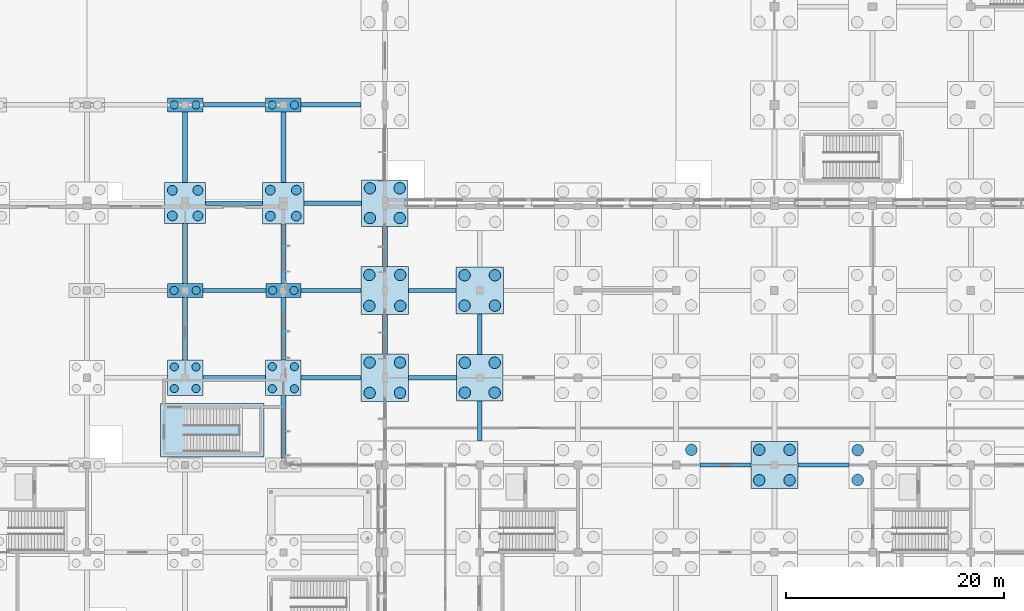
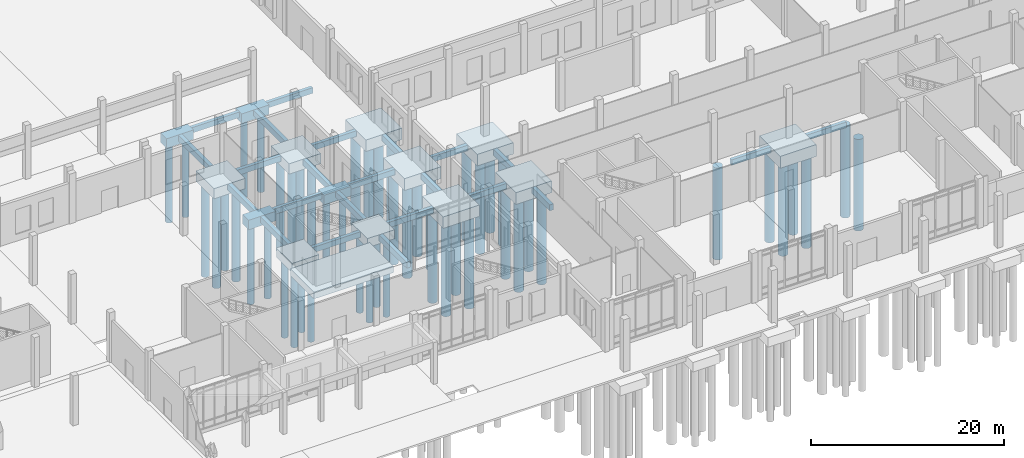
# One storey, part 14 of 99: 51 piles, 38 footings.
"""IFC4 building model written with IfcOpenShell, lengths in metres."""

from ifc_helpers import new_model, si_unit, direction, frame, origin, origin_2d, place, context, subcontext, project, spatial, polyline, rectangle, circle, outline, extrude, material, layer, layer_set, material_profile, profile_set, type_object, element, save


model = new_model("IFC4")

# Units and contexts
model_context = context("Model", 3, precision=1e-05, world=origin(), true_north=direction((0.0, 1.0)))
body_context = subcontext(model_context, "Body", "Model", "MODEL_VIEW")
ifc_project = project(units=[si_unit("LENGTHUNIT", "METRE"), si_unit("AREAUNIT", "SQUARE_METRE"), si_unit("VOLUMEUNIT", "CUBIC_METRE"), si_unit("PLANEANGLEUNIT", "RADIAN"), si_unit("MASSUNIT", "GRAM", prefix="KILO")], contexts=[model_context])

# Site, building, storey
site_placement = place(None, origin())
site = spatial("IfcSite", under=ifc_project, at=site_placement, CompositionType="ELEMENT")
building_placement = place(site_placement, origin())
building = spatial("IfcBuilding", under=site, at=building_placement, Name="Zacnel Wholesale Market", CompositionType="ELEMENT")
storey_placement = place(building_placement, origin())
storey = spatial("IfcBuildingStorey", under=building, at=storey_placement, Name="L01", CompositionType="ELEMENT", Elevation=0.0)

# Footings
ifc_material_1 = material(Name="Concrete C35/45", Category="concrete")
ifc_material_profile_1 = material_profile(ifc_material_1, rectangle(XDim=0.39990234375, YDim=0.699951171875, at=origin_2d()), Name="CT 400x700")
ifc_profile_set_1 = profile_set([ifc_material_profile_1], Name="Concrete C35/45")
footing_type_1 = type_object("IfcFootingType", Name="FTG-CT400X700", PredefinedType="FOOTING_BEAM", material=ifc_profile_set_1)
footing_1_placement = place(storey_placement, frame((173.1650390625, 24.0, -0.85009765625), z_axis=(1.0, 0.0, 0.0), x_axis=(0.0, 1.0, 0.0)))
element("IfcFooting", 1, at=footing_1_placement, inside=storey, type_object=footing_type_1, Name="Ground tie beam CT-X-0314", PredefinedType="FOOTING_BEAM", context=body_context, shape_type="SweptSolid", body=[
    extrude(rectangle(XDim=0.39990234375, YDim=0.699951171875, at=origin_2d()), origin(), (0.0, 0.0, 1.0), 4.669921875),
])
footing_2_placement = place(storey_placement, frame((182.1650390625, 24.0, -0.85009765625), z_axis=(1.0, 0.0, 0.0), x_axis=(0.0, 1.0, 0.0)))
element("IfcFooting", 2, at=footing_2_placement, inside=storey, type_object=footing_type_1, Name="Ground tie beam CT-X-0315", PredefinedType="FOOTING_BEAM", context=body_context, shape_type="SweptSolid", body=[
    extrude(rectangle(XDim=0.39990234375, YDim=0.699951171875, at=origin_2d()), origin(), (0.0, 0.0, 1.0), 4.695068359375),
])
footing_3_placement = place(storey_placement, frame((127.6201171875, 32.0, -0.85009765625), z_axis=(1.0, 0.0, 0.0), x_axis=(0.0, 1.0, 0.0)))
element("IfcFooting", 3, at=footing_3_placement, inside=storey, type_object=footing_type_1, Name="Ground tie beam CT-X-0329", PredefinedType="FOOTING_BEAM", context=body_context, shape_type="SweptSolid", body=[
    extrude(rectangle(XDim=0.39990234375, YDim=0.699951171875, at=origin_2d()), origin(), (0.0, 0.0, 1.0), 5.744873046875),
])
footing_4_placement = place(storey_placement, frame((136.635009765625, 32.0, -0.85009765625), z_axis=(1.0, 0.0, 0.0), x_axis=(0.0, 1.0, 0.0)))
element("IfcFooting", 4, at=footing_4_placement, inside=storey, type_object=footing_type_1, Name="Ground tie beam CT-X-0330", PredefinedType="FOOTING_BEAM", context=body_context, shape_type="SweptSolid", body=[
    extrude(rectangle(XDim=0.39990234375, YDim=0.699951171875, at=origin_2d()), origin(), (0.0, 0.0, 1.0), 5.5),
])
footing_5_placement = place(storey_placement, frame((146.465087890625, 32.0, -0.85009765625), z_axis=(1.0, 0.0, 0.0), x_axis=(0.0, 1.0, 0.0)))
element("IfcFooting", 5, at=footing_5_placement, inside=storey, type_object=footing_type_1, Name="Ground tie beam CT-X-0331", PredefinedType="FOOTING_BEAM", context=body_context, shape_type="SweptSolid", body=[
    extrude(rectangle(XDim=0.39990234375, YDim=0.699951171875, at=origin_2d()), origin(), (0.0, 0.0, 1.0), 4.39501953125),
])
footing_6_placement = place(storey_placement, frame((127.635009765625, 40.0, -0.85009765625), z_axis=(1.0, 0.0, 0.0), x_axis=(0.0, 1.0, 0.0)))
element("IfcFooting", 6, at=footing_6_placement, inside=storey, type_object=footing_type_1, Name="Ground tie beam CT-X-0350", PredefinedType="FOOTING_BEAM", context=body_context, shape_type="SweptSolid", body=[
    extrude(rectangle(XDim=0.39990234375, YDim=0.699951171875, at=origin_2d()), origin(), (0.0, 0.0, 1.0), 5.764892578125),
])
footing_7_placement = place(storey_placement, frame((136.60009765625, 40.0, -0.85009765625), z_axis=(1.0, 0.0, 0.0), x_axis=(0.0, 1.0, 0.0)))
element("IfcFooting", 7, at=footing_7_placement, inside=storey, type_object=footing_type_1, Name="Ground tie beam CT-X-0351", PredefinedType="FOOTING_BEAM", context=body_context, shape_type="SweptSolid", body=[
    extrude(rectangle(XDim=0.39990234375, YDim=0.699951171875, at=origin_2d()), origin(), (0.0, 0.0, 1.0), 5.510009765625),
])
footing_8_placement = place(storey_placement, frame((146.489990234375, 40.0, -0.85009765625), z_axis=(1.0, 0.0, 0.0), x_axis=(0.0, 1.0, 0.0)))
element("IfcFooting", 8, at=footing_8_placement, inside=storey, type_object=footing_type_1, Name="Ground tie beam CT-X-0352", PredefinedType="FOOTING_BEAM", context=body_context, shape_type="SweptSolid", body=[
    extrude(rectangle(XDim=0.39990234375, YDim=0.699951171875, at=origin_2d()), origin(), (0.0, 0.0, 1.0), 4.344970703125),
])
footing_9_placement = place(storey_placement, frame((127.8701171875, 48.0, -0.85009765625), z_axis=(1.0, 0.0, 0.0), x_axis=(0.0, 1.0, 0.0)))
element("IfcFooting", 9, at=footing_9_placement, inside=storey, type_object=footing_type_1, Name="Ground tie beam CT-X-0375", PredefinedType="FOOTING_BEAM", context=body_context, shape_type="SweptSolid", body=[
    extrude(rectangle(XDim=0.39990234375, YDim=0.699951171875, at=origin_2d()), origin(), (0.0, 0.0, 1.0), 5.239990234375),
])
footing_10_placement = place(storey_placement, frame((136.889892578125, 48.0, -0.85009765625), z_axis=(1.0, 0.0, 0.0), x_axis=(0.0, 1.0, 0.0)))
element("IfcFooting", 10, at=footing_10_placement, inside=storey, type_object=footing_type_1, Name="Ground tie beam CT-X-0376", PredefinedType="FOOTING_BEAM", context=body_context, shape_type="SweptSolid", body=[
    extrude(rectangle(XDim=0.39990234375, YDim=0.699951171875, at=origin_2d()), origin(), (0.0, 0.0, 1.0), 5.27001953125),
])
footing_11_placement = place(storey_placement, frame((127.6201171875, 57.0, -0.85009765625), z_axis=(1.0, 0.0, 0.0), x_axis=(0.0, 1.0, 0.0)))
element("IfcFooting", 11, at=footing_11_placement, inside=storey, type_object=footing_type_1, Name="Ground tie beam CT-X-0395", PredefinedType="FOOTING_BEAM", context=body_context, shape_type="SweptSolid", body=[
    extrude(rectangle(XDim=0.39990234375, YDim=0.699951171875, at=origin_2d()), origin(), (0.0, 0.0, 1.0), 5.744873046875),
])
footing_12_placement = place(storey_placement, frame((136.635009765625, 57.0, -0.85009765625), z_axis=(1.0, 0.0, 0.0), x_axis=(0.0, 1.0, 0.0)))
element("IfcFooting", 12, at=footing_12_placement, inside=storey, type_object=footing_type_1, Name="Ground tie beam CT-X-0396", PredefinedType="FOOTING_BEAM", context=body_context, shape_type="SweptSolid", body=[
    extrude(rectangle(XDim=0.39990234375, YDim=0.699951171875, at=origin_2d()), origin(), (0.0, 0.0, 1.0), 5.5),
])
ifc_material_2 = material(Name="Concrete C35/45", Category="concrete")
ifc_material_profile_2 = material_profile(ifc_material_2, rectangle(XDim=0.449951171875, YDim=0.75, at=origin_2d()), Name="CT 450x750")
ifc_profile_set_2 = profile_set([ifc_material_profile_2], Name="Concrete C35/45")
footing_type_2 = type_object("IfcFootingType", Name="FTG-CT450X750", PredefinedType="FOOTING_BEAM", material=ifc_profile_set_2)
footing_13_placement = place(storey_placement, frame((126.0, 33.6201171875, -0.875), z_axis=(0.0, 1.0, 0.0), x_axis=(-1.0, 0.0, 0.0)))
element("IfcFooting", 13, at=footing_13_placement, inside=storey, type_object=footing_type_2, Name="Ground tie beam CT-Y-0135", PredefinedType="FOOTING_BEAM", context=body_context, shape_type="SweptSolid", body=[
    extrude(rectangle(XDim=0.449951171875, YDim=0.75, at=origin_2d()), origin(), (0.0, 0.0, 1.0), 5.7548828125),
])
footing_14_placement = place(storey_placement, frame((126.0, 40.625, -0.875), z_axis=(0.0, 1.0, 0.0), x_axis=(-1.0, 0.0, 0.0)))
element("IfcFooting", 14, at=footing_14_placement, inside=storey, type_object=footing_type_2, Name="Ground tie beam CT-Y-0136", PredefinedType="FOOTING_BEAM", context=body_context, shape_type="SweptSolid", body=[
    extrude(rectangle(XDim=0.449951171875, YDim=0.75, at=origin_2d()), origin(), (0.0, 0.0, 1.0), 5.5048828125),
])
footing_15_placement = place(storey_placement, frame((126.0, 49.8701171875, -0.875), z_axis=(0.0, 1.0, 0.0), x_axis=(-1.0, 0.0, 0.0)))
element("IfcFooting", 15, at=footing_15_placement, inside=storey, type_object=footing_type_2, Name="Ground tie beam CT-Y-0137", PredefinedType="FOOTING_BEAM", context=body_context, shape_type="SweptSolid", body=[
    extrude(rectangle(XDim=0.449951171875, YDim=0.75, at=origin_2d()), origin(), (0.0, 0.0, 1.0), 6.5048828125),
])
for number, where, z_axis, x_axis, name in (
    (16, (135.0, 24.625, -0.875), (0.0, 1.0, 0.0), (-1.0, 0.0, 0.0), "Ground tie beam CT-Y-0138"),
    (17, (135.0, 33.635009765625, -0.875), (0.0, 1.0, 0.0), (-1.0, 0.0, 0.0), "Ground tie beam CT-Y-0139"),
):
    element("IfcFooting", number, at=place(storey_placement, frame(where, z_axis=z_axis, x_axis=x_axis)), inside=storey, type_object=footing_type_2, Name=name, PredefinedType="FOOTING_BEAM", context=body_context, shape_type="SweptSolid", body=[
        extrude(rectangle(XDim=0.449951171875, YDim=0.75, at=origin_2d()), origin(), (0.0, 0.0, 1.0), 5.739990234375),
    ])
footing_16_placement = place(storey_placement, frame((135.0, 40.625, -0.875), z_axis=(0.0, 1.0, 0.0), x_axis=(-1.0, 0.0, 0.0)))
element("IfcFooting", 18, at=footing_16_placement, inside=storey, type_object=footing_type_2, Name="Ground tie beam CT-Y-0140", PredefinedType="FOOTING_BEAM", context=body_context, shape_type="SweptSolid", body=[
    extrude(rectangle(XDim=0.449951171875, YDim=0.75, at=origin_2d()), origin(), (0.0, 0.0, 1.0), 5.485107421875),
])
footing_17_placement = place(storey_placement, frame((135.0, 49.889892578125, -0.875), z_axis=(0.0, 1.0, 0.0), x_axis=(-1.0, 0.0, 0.0)))
element("IfcFooting", 19, at=footing_17_placement, inside=storey, type_object=footing_type_2, Name="Ground tie beam CT-Y-0141", PredefinedType="FOOTING_BEAM", context=body_context, shape_type="SweptSolid", body=[
    extrude(rectangle(XDim=0.449951171875, YDim=0.75, at=origin_2d()), origin(), (0.0, 0.0, 1.0), 6.485107421875),
])
footing_18_placement = place(storey_placement, frame((144.300048828125, 34.1650390625, -0.875), z_axis=(0.0, 1.0, 0.0), x_axis=(-1.0, 0.0, 0.0)))
element("IfcFooting", 20, at=footing_18_placement, inside=storey, type_object=footing_type_2, Name="Ground tie beam CT-Y-0147", PredefinedType="FOOTING_BEAM", context=body_context, shape_type="SweptSolid", body=[
    extrude(rectangle(XDim=0.449951171875, YDim=0.75, at=origin_2d()), origin(), (0.0, 0.0, 1.0), 3.64501953125),
])
for number, where, z_axis, x_axis, name in (
    (21, (144.300048828125, 42.18994140625, -0.875), (0.0, 1.0, 0.0), (-1.0, 0.0, 0.0), "Ground tie beam CT-Y-0148"),
    (22, (153.0, 26.18994140625, -0.875), (0.0, 1.0, 0.0), (-1.0, 0.0, 0.0), "Ground tie beam CT-Y-0157"),
):
    element("IfcFooting", number, at=place(storey_placement, frame(where, z_axis=z_axis, x_axis=x_axis)), inside=storey, type_object=footing_type_2, Name=name, PredefinedType="FOOTING_BEAM", context=body_context, shape_type="SweptSolid", body=[
        extrude(rectangle(XDim=0.449951171875, YDim=0.75, at=origin_2d()), origin(), (0.0, 0.0, 1.0), 3.670166015625),
    ])
footing_19_placement = place(storey_placement, frame((153.0, 34.139892578125, -0.875), z_axis=(0.0, 1.0, 0.0), x_axis=(-1.0, 0.0, 0.0)))
element("IfcFooting", 23, at=footing_19_placement, inside=storey, type_object=footing_type_2, Name="Ground tie beam CT-Y-0158", PredefinedType="FOOTING_BEAM", context=body_context, shape_type="SweptSolid", body=[
    extrude(rectangle(XDim=0.449951171875, YDim=0.75, at=origin_2d()), origin(), (0.0, 0.0, 1.0), 3.695068359375),
])
ifc_material_3 = material(Name="Concrete C35/45", Category="concrete")
ifc_layer_1 = layer(ifc_material_3, 1.199951171875)
ifc_layer_set_1 = layer_set([ifc_layer_1], Name="Concrete C35/45")
footing_type_3 = type_object("IfcFootingType", Name="FTG-PC-3200X1250X1200", PredefinedType="PILE_CAP", material=ifc_layer_set_1)
footing_20_placement = place(storey_placement, frame((135.0, 40.0, -1.7001953125), z_axis=(0.0, 0.0, 1.0), x_axis=(1.0, 0.0, 0.0)))
element("IfcFooting", 24, at=footing_20_placement, inside=storey, type_object=footing_type_3, Name="Pile cap PC-12 (STR-PC-192)", PredefinedType="PILE_CAP", context=body_context, shape_type="SweptSolid", body=[
    extrude(rectangle(XDim=3.199951171875, YDim=1.25, at=origin_2d()), origin(), (0.0, 0.0, 1.0), 1.199951171875),
])
ifc_material_4 = material(Name="Concrete C35/45", Category="concrete")
ifc_layer_2 = layer(ifc_material_4, 1.199951171875)
ifc_layer_set_2 = layer_set([ifc_layer_2], Name="Concrete C35/45")
footing_type_4 = type_object("IfcFootingType", Name="FTG-PC-3240X1250X1200", PredefinedType="PILE_CAP", material=ifc_layer_set_2)
footing_21_placement = place(storey_placement, frame((126.0, 57.0, -1.7001953125), z_axis=(0.0, 0.0, 1.0), x_axis=(1.0, 0.0, 0.0)))
element("IfcFooting", 25, at=footing_21_placement, inside=storey, type_object=footing_type_4, Name="Pile cap PC-10 (STR-PC-184)", PredefinedType="PILE_CAP", context=body_context, shape_type="SweptSolid", body=[
    extrude(rectangle(XDim=3.239990234375, YDim=1.25, at=origin_2d()), origin(), (0.0, 0.0, 1.0), 1.199951171875),
])
ifc_material_5 = material(Name="Concrete C35/45", Category="concrete")
ifc_layer_3 = layer(ifc_material_5, 1.14990234375)
ifc_layer_set_3 = layer_set([ifc_layer_3], Name="Concrete C35/45")
footing_type_5 = type_object("IfcFootingType", Name="FTG-PC-3240X3240X1150", PredefinedType="PILE_CAP", material=ifc_layer_set_3)
footing_22_placement = place(storey_placement, frame((126.0, 32.0, -1.64990234375), z_axis=(0.0, 0.0, 1.0), x_axis=(1.0, 0.0, 0.0)))
element("IfcFooting", 26, at=footing_22_placement, inside=storey, type_object=footing_type_5, Name="Pile cap PC-07 (STR-PC-181)", PredefinedType="PILE_CAP", context=body_context, shape_type="SweptSolid", body=[
    extrude(rectangle(XDim=3.239990234375, YDim=3.239990234375, at=origin_2d()), origin(), (0.0, 0.0, 1.0), 1.14990234375),
])
ifc_material_6 = material(Name="Concrete C35/45", Category="concrete")
ifc_layer_4 = layer(ifc_material_6, 1.199951171875)
ifc_layer_set_4 = layer_set([ifc_layer_4], Name="Concrete C35/45")
footing_type_6 = type_object("IfcFootingType", Name="FTG-PC-3270X1250X1200", PredefinedType="PILE_CAP", material=ifc_layer_set_4)
for number, where, z_axis, x_axis, name in (
    (27, (126.0, 40.0, -1.7001953125), (0.0, 0.0, 1.0), (1.0, 0.0, 0.0), "Pile cap PC-08 (STR-PC-182)"),
    (28, (135.0, 57.0, -1.7001953125), (0.0, 0.0, 1.0), (1.0, 0.0, 0.0), "Pile cap PC-08 (STR-PC-194)"),
):
    element("IfcFooting", number, at=place(storey_placement, frame(where, z_axis=z_axis, x_axis=x_axis)), inside=storey, type_object=footing_type_6, Name=name, PredefinedType="PILE_CAP", context=body_context, shape_type="SweptSolid", body=[
        extrude(rectangle(XDim=3.27001953125, YDim=1.25, at=origin_2d()), origin(), (0.0, 0.0, 1.0), 1.199951171875),
    ])
ifc_material_7 = material(Name="Concrete C35/45", Category="concrete")
ifc_layer_5 = layer(ifc_material_7, 1.14990234375)
ifc_layer_set_5 = layer_set([ifc_layer_5], Name="Concrete C35/45")
footing_type_7 = type_object("IfcFootingType", Name="FTG-PC-3270X3270X1150", PredefinedType="PILE_CAP", material=ifc_layer_set_5)
footing_23_placement = place(storey_placement, frame((135.0, 32.0, -1.64990234375), z_axis=(0.0, 0.0, 1.0), x_axis=(1.0, 0.0, 0.0)))
element("IfcFooting", 29, at=footing_23_placement, inside=storey, type_object=footing_type_7, Name="Pile cap PC-11 (STR-PC-191)", PredefinedType="PILE_CAP", context=body_context, shape_type="SweptSolid", body=[
    extrude(rectangle(XDim=3.27001953125, YDim=3.27001953125, at=origin_2d()), origin(), (0.0, 0.0, 1.0), 1.14990234375),
])
ifc_material_8 = material(Name="Concrete C35/45", Category="concrete")
ifc_layer_6 = layer(ifc_material_8, 1.300048828125)
ifc_layer_set_6 = layer_set([ifc_layer_6], Name="Concrete C35/45")
footing_type_8 = type_object("IfcFootingType", Name="FTG-PC-3740X3740X1300", PredefinedType="PILE_CAP", material=ifc_layer_set_6)
footing_24_placement = place(storey_placement, frame((126.0, 48.0, -1.7998046875), z_axis=(0.0, 0.0, 1.0), x_axis=(1.0, 0.0, 0.0)))
element("IfcFooting", 30, at=footing_24_placement, inside=storey, type_object=footing_type_8, Name="Pile cap PC-03 (STR-PC-183)", PredefinedType="PILE_CAP", context=body_context, shape_type="SweptSolid", body=[
    extrude(rectangle(XDim=3.739990234375, YDim=3.739990234375, at=origin_2d()), origin(), (0.0, 0.0, 1.0), 1.300048828125),
])
ifc_material_9 = material(Name="Concrete C35/45", Category="concrete")
ifc_layer_7 = layer(ifc_material_9, 1.300048828125)
ifc_layer_set_7 = layer_set([ifc_layer_7], Name="Concrete C35/45")
footing_type_9 = type_object("IfcFootingType", Name="FTG-PC-3780X3780X1300", PredefinedType="PILE_CAP", material=ifc_layer_set_7)
footing_25_placement = place(storey_placement, frame((135.0, 48.0, -1.7998046875), z_axis=(0.0, 0.0, 1.0), x_axis=(1.0, 0.0, 0.0)))
element("IfcFooting", 31, at=footing_25_placement, inside=storey, type_object=footing_type_9, Name="Pile cap PC-01 (STR-PC-193)", PredefinedType="PILE_CAP", context=body_context, shape_type="SweptSolid", body=[
    extrude(rectangle(XDim=3.780029296875, YDim=3.780029296875, at=origin_2d()), origin(), (0.0, 0.0, 1.0), 1.300048828125),
])
ifc_material_10 = material(Name="Concrete C35/45", Category="concrete")
ifc_layer_8 = layer(ifc_material_10, 1.449951171875)
ifc_layer_set_8 = layer_set([ifc_layer_8], Name="Concrete C35/45")
footing_type_10 = type_object("IfcFootingType", Name="FTG-PC-4280X4280X1450", PredefinedType="PILE_CAP", material=ifc_layer_set_8)
footing_26_placement = place(storey_placement, frame((144.300048828125, 48.0, -1.9501953125), z_axis=(0.0, 0.0, 1.0), x_axis=(1.0, 0.0, 0.0)))
element("IfcFooting", 32, at=footing_26_placement, inside=storey, type_object=footing_type_10, Name="Pile cap PC-16 (STR-PC-207)", PredefinedType="PILE_CAP", context=body_context, shape_type="SweptSolid", body=[
    extrude(rectangle(XDim=4.280029296875, YDim=4.280029296875, at=origin_2d()), origin(), (0.0, 0.0, 1.0), 1.449951171875),
])
ifc_material_11 = material(Name="Concrete C35/45", Category="concrete")
ifc_layer_9 = layer(ifc_material_11, 1.5)
ifc_layer_set_9 = layer_set([ifc_layer_9], Name="Concrete C35/45")
footing_type_11 = type_object("IfcFootingType", Name="FTG-PC-4280X4280X1500", PredefinedType="PILE_CAP", material=ifc_layer_set_9)
footing_27_placement = place(storey_placement, frame((153.0, 32.0, -2.0), z_axis=(0.0, 0.0, 1.0), x_axis=(1.0, 0.0, 0.0)))
element("IfcFooting", 33, at=footing_27_placement, inside=storey, type_object=footing_type_11, Name="Pile cap PC-15 (STR-PC-216)", PredefinedType="PILE_CAP", context=body_context, shape_type="SweptSolid", body=[
    extrude(rectangle(XDim=4.280029296875, YDim=4.280029296875, at=origin_2d()), origin(), (0.0, 0.0, 1.0), 1.5),
])
ifc_material_12 = material(Name="Concrete C35/45", Category="concrete")
ifc_layer_10 = layer(ifc_material_12, 1.449951171875)
ifc_layer_set_10 = layer_set([ifc_layer_10], Name="Concrete C35/45")
footing_type_12 = type_object("IfcFootingType", Name="FTG-PC-4330X4330X1450", PredefinedType="PILE_CAP", material=ifc_layer_set_10)
for number, where, z_axis, x_axis, name in (
    (34, (144.300048828125, 32.0, -1.9501953125), (0.0, 0.0, 1.0), (1.0, 0.0, 0.0), "Pile cap PC-19 (STR-PC-205)"),
    (35, (153.0, 40.0, -1.9501953125), (0.0, 0.0, 1.0), (1.0, 0.0, 0.0), "Pile cap PC-19 (STR-PC-217)"),
):
    element("IfcFooting", number, at=place(storey_placement, frame(where, z_axis=z_axis, x_axis=x_axis)), inside=storey, type_object=footing_type_12, Name=name, PredefinedType="PILE_CAP", context=body_context, shape_type="SweptSolid", body=[
        extrude(rectangle(XDim=4.330078125, YDim=4.330078125, at=origin_2d()), origin(), (0.0, 0.0, 1.0), 1.449951171875),
    ])
ifc_material_13 = material(Name="Concrete C35/45", Category="concrete")
ifc_layer_11 = layer(ifc_material_13, 1.5)
ifc_layer_set_11 = layer_set([ifc_layer_11], Name="Concrete C35/45")
footing_type_13 = type_object("IfcFootingType", Name="FTG-PC-4330X4330X1500", PredefinedType="PILE_CAP", material=ifc_layer_set_11)
footing_28_placement = place(storey_placement, frame((180.0, 24.0, -2.0), z_axis=(0.0, 0.0, 1.0), x_axis=(1.0, 0.0, 0.0)))
element("IfcFooting", 36, at=footing_28_placement, inside=storey, type_object=footing_type_13, Name="Pile cap PC-17 (STR-PC-244)", PredefinedType="PILE_CAP", context=body_context, shape_type="SweptSolid", body=[
    extrude(rectangle(XDim=4.330078125, YDim=4.330078125, at=origin_2d()), origin(), (0.0, 0.0, 1.0), 1.5),
])
ifc_material_14 = material(Name="Concrete C35/45", Category="concrete")
ifc_layer_12 = layer(ifc_material_14, 1.5)
ifc_layer_set_12 = layer_set([ifc_layer_12], Name="Concrete C35/45")
footing_type_14 = type_object("IfcFootingType", Name="FTG-PC-4380X4380X1500", PredefinedType="PILE_CAP", material=ifc_layer_set_12)
footing_29_placement = place(storey_placement, frame((144.300048828125, 40.0, -2.0), z_axis=(0.0, 0.0, 1.0), x_axis=(1.0, 0.0, 0.0)))
element("IfcFooting", 37, at=footing_29_placement, inside=storey, type_object=footing_type_14, Name="Pile cap PC-18 (STR-PC-206)", PredefinedType="PILE_CAP", context=body_context, shape_type="SweptSolid", body=[
    extrude(rectangle(XDim=4.3798828125, YDim=4.3798828125, at=origin_2d()), origin(), (0.0, 0.0, 1.0), 1.5),
])
ifc_material_15 = material(Name="Concrete C35/45", Category="concrete")
ifc_layer_13 = layer(ifc_material_15, 0.85009765625)
ifc_layer_set_13 = layer_set([ifc_layer_13], Name="Concrete C35/45")
footing_type_15 = type_object("IfcFootingType", Name="FTG-STAIR-MAT-7800X6800", PredefinedType="PAD_FOOTING", material=ifc_layer_set_13)
footing_30_placement = place(storey_placement, frame((0.0, 0.0, -1.35009765625)))
element("IfcFooting", 38, at=footing_30_placement, inside=storey, type_object=footing_type_15, Name="Stair ST-19 mat footing 014", PredefinedType="PAD_FOOTING", context=body_context, shape_type="SweptSolid", body=[
    extrude(outline(polyline([(133.25, 24.75), (133.25, 29.64990234375), (123.75, 29.64990234375), (123.75, 24.75), (133.25, 24.75)])), origin(), (0.0, 0.0, 1.0), 0.85009765625),
])

# Piles
ifc_material_16 = material(Name="Concrete C35/45", Category="concrete")
ifc_material_profile_3 = material_profile(ifc_material_16, circle(Radius=0.52490234375, at=origin_2d()), Name="BORED PILE D1050")
ifc_profile_set_3 = profile_set([ifc_material_profile_3], Name="Concrete C35/45")
pile_type_1 = type_object("IfcPileType", Name="PILE-BORED-1050", PredefinedType="BORED", material=ifc_profile_set_3)
for number, where, z_axis, x_axis, name in (
    (39, (142.908447265625, 30.6083984375, -1.85009765625), (0.0, 0.0, -1.0), (1.0, 0.0, 0.0), "Bored pile STR-PILE-205-01"),
    (40, (142.908447265625, 33.3916015625, -1.85009765625), (0.0, 0.0, -1.0), (1.0, 0.0, 0.0), "Bored pile STR-PILE-205-02"),
    (41, (145.69140625, 30.6083984375, -1.85009765625), (0.0, 0.0, -1.0), (1.0, 0.0, 0.0), "Bored pile STR-PILE-205-03"),
    (42, (145.69140625, 33.3916015625, -1.85009765625), (0.0, 0.0, -1.0), (1.0, 0.0, 0.0), "Bored pile STR-PILE-205-04"),
):
    element("IfcPile", number, at=place(storey_placement, frame(where, z_axis=z_axis, x_axis=x_axis)), inside=storey, type_object=pile_type_1, Name=name, PredefinedType="BORED", context=body_context, shape_type="SweptSolid", body=[
        extrude(circle(Radius=0.52490234375, at=origin_2d()), origin(), (0.0, 0.0, 1.0), 11.64990234375),
    ])
for number, where, z_axis, x_axis, name in (
    (43, (142.882568359375, 38.58251953125, -1.89990234375), (0.0, 0.0, -1.0), (1.0, 0.0, 0.0), "Bored pile STR-PILE-206-01"),
    (44, (142.882568359375, 41.41748046875, -1.89990234375), (0.0, 0.0, -1.0), (1.0, 0.0, 0.0), "Bored pile STR-PILE-206-02"),
    (45, (145.717529296875, 38.58251953125, -1.89990234375), (0.0, 0.0, -1.0), (1.0, 0.0, 0.0), "Bored pile STR-PILE-206-03"),
    (46, (145.717529296875, 41.41748046875, -1.89990234375), (0.0, 0.0, -1.0), (1.0, 0.0, 0.0), "Bored pile STR-PILE-206-04"),
):
    element("IfcPile", number, at=place(storey_placement, frame(where, z_axis=z_axis, x_axis=x_axis)), inside=storey, type_object=pile_type_1, Name=name, PredefinedType="BORED", context=body_context, shape_type="SweptSolid", body=[
        extrude(circle(Radius=0.52490234375, at=origin_2d()), origin(), (0.0, 0.0, 1.0), 11.60009765625),
    ])
for number, where, z_axis, x_axis, name in (
    (47, (142.93505859375, 46.635009765625, -1.85009765625), (0.0, 0.0, -1.0), (1.0, 0.0, 0.0), "Bored pile STR-PILE-207-01"),
    (48, (142.93505859375, 49.364990234375, -1.85009765625), (0.0, 0.0, -1.0), (1.0, 0.0, 0.0), "Bored pile STR-PILE-207-02"),
    (49, (145.6650390625, 46.635009765625, -1.85009765625), (0.0, 0.0, -1.0), (1.0, 0.0, 0.0), "Bored pile STR-PILE-207-03"),
    (50, (145.6650390625, 49.364990234375, -1.85009765625), (0.0, 0.0, -1.0), (1.0, 0.0, 0.0), "Bored pile STR-PILE-207-04"),
):
    element("IfcPile", number, at=place(storey_placement, frame(where, z_axis=z_axis, x_axis=x_axis)), inside=storey, type_object=pile_type_1, Name=name, PredefinedType="BORED", context=body_context, shape_type="SweptSolid", body=[
        extrude(circle(Radius=0.52490234375, at=origin_2d()), origin(), (0.0, 0.0, 1.0), 11.64990234375),
    ])
for number, where, z_axis, x_axis, name in (
    (51, (151.635009765625, 30.635009765625, -1.89990234375), (0.0, 0.0, -1.0), (1.0, 0.0, 0.0), "Bored pile STR-PILE-216-01"),
    (52, (151.635009765625, 33.364990234375, -1.89990234375), (0.0, 0.0, -1.0), (1.0, 0.0, 0.0), "Bored pile STR-PILE-216-02"),
    (53, (154.364990234375, 30.635009765625, -1.89990234375), (0.0, 0.0, -1.0), (1.0, 0.0, 0.0), "Bored pile STR-PILE-216-03"),
    (54, (154.364990234375, 33.364990234375, -1.89990234375), (0.0, 0.0, -1.0), (1.0, 0.0, 0.0), "Bored pile STR-PILE-216-04"),
):
    element("IfcPile", number, at=place(storey_placement, frame(where, z_axis=z_axis, x_axis=x_axis)), inside=storey, type_object=pile_type_1, Name=name, PredefinedType="BORED", context=body_context, shape_type="SweptSolid", body=[
        extrude(circle(Radius=0.52490234375, at=origin_2d()), origin(), (0.0, 0.0, 1.0), 11.60009765625),
    ])
for number, where, z_axis, x_axis, name in (
    (55, (151.6083984375, 38.6083984375, -1.85009765625), (0.0, 0.0, -1.0), (1.0, 0.0, 0.0), "Bored pile STR-PILE-217-01"),
    (56, (151.6083984375, 41.3916015625, -1.85009765625), (0.0, 0.0, -1.0), (1.0, 0.0, 0.0), "Bored pile STR-PILE-217-02"),
    (57, (154.3916015625, 38.6083984375, -1.85009765625), (0.0, 0.0, -1.0), (1.0, 0.0, 0.0), "Bored pile STR-PILE-217-03"),
    (58, (154.3916015625, 41.3916015625, -1.85009765625), (0.0, 0.0, -1.0), (1.0, 0.0, 0.0), "Bored pile STR-PILE-217-04"),
    (59, (172.3916015625, 25.3916015625, -1.85009765625), (0.0, 0.0, -1.0), (1.0, 0.0, 0.0), "Bored pile STR-PILE-235-04"),
):
    element("IfcPile", number, at=place(storey_placement, frame(where, z_axis=z_axis, x_axis=x_axis)), inside=storey, type_object=pile_type_1, Name=name, PredefinedType="BORED", context=body_context, shape_type="SweptSolid", body=[
        extrude(circle(Radius=0.52490234375, at=origin_2d()), origin(), (0.0, 0.0, 1.0), 11.64990234375),
    ])
for number, where, z_axis, x_axis, name in (
    (60, (178.6083984375, 22.6083984375, -1.89990234375), (0.0, 0.0, -1.0), (1.0, 0.0, 0.0), "Bored pile STR-PILE-244-01"),
    (61, (178.6083984375, 25.3916015625, -1.89990234375), (0.0, 0.0, -1.0), (1.0, 0.0, 0.0), "Bored pile STR-PILE-244-02"),
    (62, (181.3916015625, 22.6083984375, -1.89990234375), (0.0, 0.0, -1.0), (1.0, 0.0, 0.0), "Bored pile STR-PILE-244-03"),
    (63, (181.3916015625, 25.3916015625, -1.89990234375), (0.0, 0.0, -1.0), (1.0, 0.0, 0.0), "Bored pile STR-PILE-244-04"),
    (64, (187.635009765625, 22.635009765625, -1.89990234375), (0.0, 0.0, -1.0), (1.0, 0.0, 0.0), "Bored pile STR-PILE-258-01"),
    (65, (187.635009765625, 25.364990234375, -1.89990234375), (0.0, 0.0, -1.0), (1.0, 0.0, 0.0), "Bored pile STR-PILE-258-02"),
):
    element("IfcPile", number, at=place(storey_placement, frame(where, z_axis=z_axis, x_axis=x_axis)), inside=storey, type_object=pile_type_1, Name=name, PredefinedType="BORED", context=body_context, shape_type="SweptSolid", body=[
        extrude(circle(Radius=0.52490234375, at=origin_2d()), origin(), (0.0, 0.0, 1.0), 11.60009765625),
    ])
ifc_material_17 = material(Name="Concrete C35/45", Category="concrete")
ifc_material_profile_4 = material_profile(ifc_material_17, circle(Radius=0.375, at=origin_2d()), Name="BORED PILE D750")
ifc_profile_set_4 = profile_set([ifc_material_profile_4], Name="Concrete C35/45")
pile_type_2 = type_object("IfcPileType", Name="PILE-BORED-750", PredefinedType="BORED", material=ifc_profile_set_4)
for number, where, z_axis, x_axis, name in (
    (66, (125.006591796875, 31.006591796875, -1.550048828125), (0.0, 0.0, -1.0), (1.0, 0.0, 0.0), "Bored pile STR-PILE-181-01"),
    (67, (125.006591796875, 32.993408203125, -1.550048828125), (0.0, 0.0, -1.0), (1.0, 0.0, 0.0), "Bored pile STR-PILE-181-02"),
    (68, (126.993408203125, 31.006591796875, -1.550048828125), (0.0, 0.0, -1.0), (1.0, 0.0, 0.0), "Bored pile STR-PILE-181-03"),
    (69, (126.993408203125, 32.993408203125, -1.550048828125), (0.0, 0.0, -1.0), (1.0, 0.0, 0.0), "Bored pile STR-PILE-181-04"),
):
    element("IfcPile", number, at=place(storey_placement, frame(where, z_axis=z_axis, x_axis=x_axis)), inside=storey, type_object=pile_type_2, Name=name, PredefinedType="BORED", context=body_context, shape_type="SweptSolid", body=[
        extrude(circle(Radius=0.375, at=origin_2d()), origin(), (0.0, 0.0, 1.0), 9.949951171875),
    ])
for number, where, z_axis, x_axis, name in (
    (70, (124.987548828125, 40.0, -1.60009765625), (0.0, 0.0, -1.0), (1.0, 0.0, 0.0), "Bored pile STR-PILE-182-01"),
    (71, (127.012451171875, 40.0, -1.60009765625), (0.0, 0.0, -1.0), (1.0, 0.0, 0.0), "Bored pile STR-PILE-182-02"),
    (72, (125.006591796875, 57.0, -1.60009765625), (0.0, 0.0, -1.0), (1.0, 0.0, 0.0), "Bored pile STR-PILE-184-01"),
    (73, (126.993408203125, 57.0, -1.60009765625), (0.0, 0.0, -1.0), (1.0, 0.0, 0.0), "Bored pile STR-PILE-184-02"),
):
    element("IfcPile", number, at=place(storey_placement, frame(where, z_axis=z_axis, x_axis=x_axis)), inside=storey, type_object=pile_type_2, Name=name, PredefinedType="BORED", context=body_context, shape_type="SweptSolid", body=[
        extrude(circle(Radius=0.375, at=origin_2d()), origin(), (0.0, 0.0, 1.0), 9.89990234375),
    ])
for number, where, z_axis, x_axis, name in (
    (74, (133.987548828125, 30.987548828125, -1.550048828125), (0.0, 0.0, -1.0), (1.0, 0.0, 0.0), "Bored pile STR-PILE-191-01"),
    (75, (133.987548828125, 33.012451171875, -1.550048828125), (0.0, 0.0, -1.0), (1.0, 0.0, 0.0), "Bored pile STR-PILE-191-02"),
    (76, (136.012451171875, 30.987548828125, -1.550048828125), (0.0, 0.0, -1.0), (1.0, 0.0, 0.0), "Bored pile STR-PILE-191-03"),
    (77, (136.012451171875, 33.012451171875, -1.550048828125), (0.0, 0.0, -1.0), (1.0, 0.0, 0.0), "Bored pile STR-PILE-191-04"),
):
    element("IfcPile", number, at=place(storey_placement, frame(where, z_axis=z_axis, x_axis=x_axis)), inside=storey, type_object=pile_type_2, Name=name, PredefinedType="BORED", context=body_context, shape_type="SweptSolid", body=[
        extrude(circle(Radius=0.375, at=origin_2d()), origin(), (0.0, 0.0, 1.0), 9.949951171875),
    ])
for number, where, z_axis, x_axis, name in (
    (78, (134.02490234375, 40.0, -1.60009765625), (0.0, 0.0, -1.0), (1.0, 0.0, 0.0), "Bored pile STR-PILE-192-01"),
    (79, (135.97509765625, 40.0, -1.60009765625), (0.0, 0.0, -1.0), (1.0, 0.0, 0.0), "Bored pile STR-PILE-192-02"),
    (80, (133.987548828125, 57.0, -1.60009765625), (0.0, 0.0, -1.0), (1.0, 0.0, 0.0), "Bored pile STR-PILE-194-01"),
    (81, (136.012451171875, 57.0, -1.60009765625), (0.0, 0.0, -1.0), (1.0, 0.0, 0.0), "Bored pile STR-PILE-194-02"),
):
    element("IfcPile", number, at=place(storey_placement, frame(where, z_axis=z_axis, x_axis=x_axis)), inside=storey, type_object=pile_type_2, Name=name, PredefinedType="BORED", context=body_context, shape_type="SweptSolid", body=[
        extrude(circle(Radius=0.375, at=origin_2d()), origin(), (0.0, 0.0, 1.0), 9.89990234375),
    ])
ifc_material_18 = material(Name="Concrete C35/45", Category="concrete")
ifc_material_profile_5 = material_profile(ifc_material_18, circle(Radius=0.449951171875, at=origin_2d()), Name="BORED PILE D900")
ifc_profile_set_5 = profile_set([ifc_material_profile_5], Name="Concrete C35/45")
pile_type_3 = type_object("IfcPileType", Name="PILE-BORED-900", PredefinedType="BORED", material=ifc_profile_set_5)
for number, where, z_axis, x_axis, name in (
    (82, (124.830078125, 46.830078125, -1.699951171875), (0.0, 0.0, -1.0), (1.0, 0.0, 0.0), "Bored pile STR-PILE-183-01"),
    (83, (124.830078125, 49.169921875, -1.699951171875), (0.0, 0.0, -1.0), (1.0, 0.0, 0.0), "Bored pile STR-PILE-183-02"),
    (84, (127.169921875, 46.830078125, -1.699951171875), (0.0, 0.0, -1.0), (1.0, 0.0, 0.0), "Bored pile STR-PILE-183-03"),
    (85, (127.169921875, 49.169921875, -1.699951171875), (0.0, 0.0, -1.0), (1.0, 0.0, 0.0), "Bored pile STR-PILE-183-04"),
    (86, (133.8076171875, 46.8076171875, -1.699951171875), (0.0, 0.0, -1.0), (1.0, 0.0, 0.0), "Bored pile STR-PILE-193-01"),
    (87, (133.8076171875, 49.1923828125, -1.699951171875), (0.0, 0.0, -1.0), (1.0, 0.0, 0.0), "Bored pile STR-PILE-193-02"),
    (88, (136.1923828125, 46.8076171875, -1.699951171875), (0.0, 0.0, -1.0), (1.0, 0.0, 0.0), "Bored pile STR-PILE-193-03"),
    (89, (136.1923828125, 49.1923828125, -1.699951171875), (0.0, 0.0, -1.0), (1.0, 0.0, 0.0), "Bored pile STR-PILE-193-04"),
):
    element("IfcPile", number, at=place(storey_placement, frame(where, z_axis=z_axis, x_axis=x_axis)), inside=storey, type_object=pile_type_3, Name=name, PredefinedType="BORED", context=body_context, shape_type="SweptSolid", body=[
        extrude(circle(Radius=0.449951171875, at=origin_2d()), origin(), (0.0, 0.0, 1.0), 11.800048828125),
    ])

save(model, "model.ifc")
